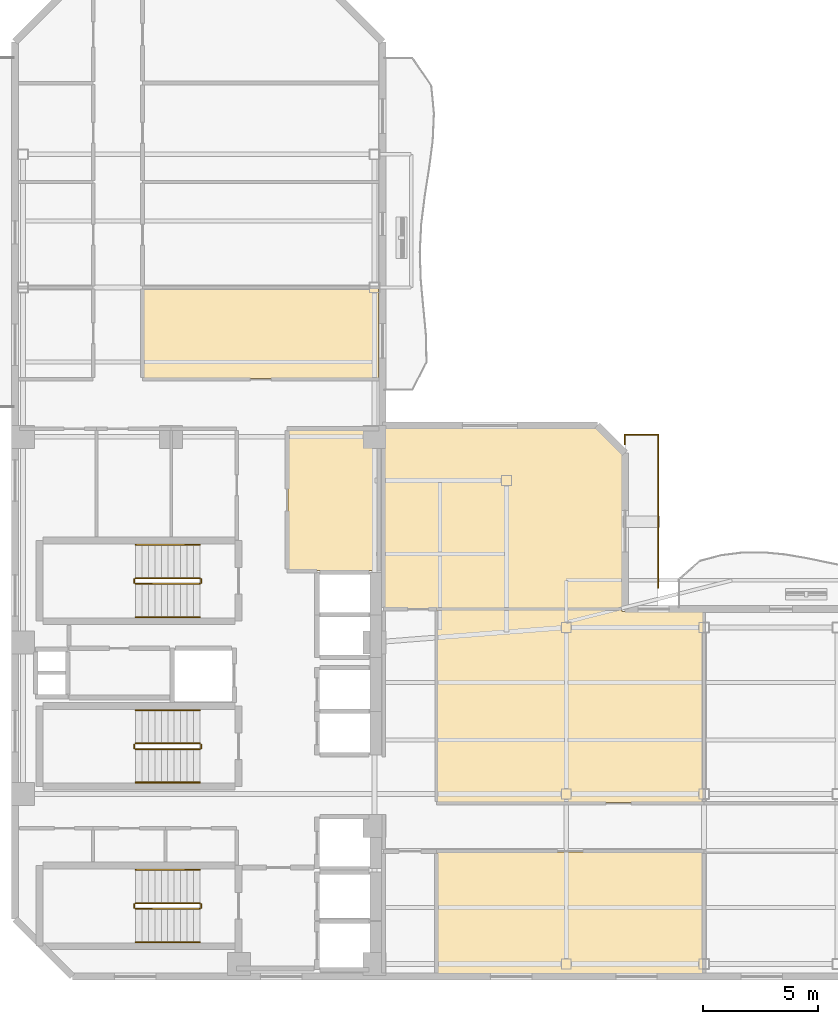
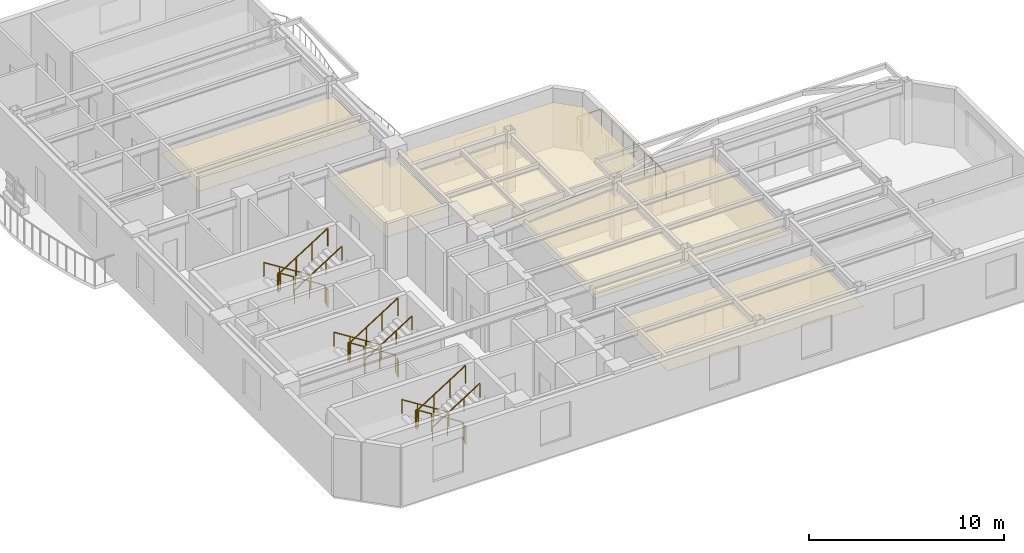
# One storey, part 7 of 8: 21 railings, 5 coverings.
"""IFC4 building model written with IfcOpenShell, lengths in metres."""

from ifc_helpers import new_model, si_unit, direction, frame, origin, origin_2d, place, context, subcontext, project, spatial, polyline, rectangle, outline, extrude, material, layer, layer_set, type_object, element, save


model = new_model("IFC4")

# Units and contexts
model_context = context("Model", 3, precision=1e-05, world=origin(), true_north=direction((0.0, 1.0)))
body_context = subcontext(model_context, "Body", "Model", "MODEL_VIEW")
ifc_project = project(units=[si_unit("LENGTHUNIT", "METRE"), si_unit("AREAUNIT", "SQUARE_METRE"), si_unit("VOLUMEUNIT", "CUBIC_METRE"), si_unit("PLANEANGLEUNIT", "RADIAN"), si_unit("MASSUNIT", "GRAM", prefix="KILO")], contexts=[model_context])

# Site, building, storey
site_placement = place(None, origin())
site = spatial("IfcSite", under=ifc_project, at=site_placement, CompositionType="ELEMENT")
building_placement = place(site_placement, origin())
building = spatial("IfcBuilding", under=site, at=building_placement, Name="Mawjaban Terraces University", CompositionType="ELEMENT")
storey_placement = place(building_placement, frame((0.0, 0.0, 187.5)))
storey = spatial("IfcBuildingStorey", under=building, at=storey_placement, Name="L45", CompositionType="ELEMENT", Elevation=187.5)

# Coverings
ifc_material_1 = material(Name="Acoustic mineral fibre ceiling tile", Category="masonry")
ifc_layer = layer(ifc_material_1, 0.02001953125)
ifc_layer_set = layer_set([ifc_layer], Name="Acoustic mineral fibre ceiling tile")
covering_type = type_object("IfcCoveringType", Name="AcousticMineralCeiling_20", PredefinedType="CEILING", material=ifc_layer_set)
covering_1_placement = place(storey_placement, frame((0.0, 0.0, 2.75)))
element("IfcCovering", 1, at=covering_1_placement, inside=storey, type_object=covering_type, Name="L45 Graduate Research Collaboration Studio Acoustic Ceiling", PredefinedType="CEILING", context=body_context, shape_type="SweptSolid", body=[
    extrude(outline(polyline([(37.820068359375, 17.679931640625), (37.820068359375, 23.820068359375), (33.8798828125, 23.820068359375), (33.8798828125, 17.679931640625), (37.820068359375, 17.679931640625)])), origin(), (0.0, 0.0, 1.0), 0.02001953125),
])
covering_2_placement = place(storey_placement, frame((0.0, 0.0, 2.75)))
element("IfcCovering", 2, at=covering_2_placement, inside=storey, type_object=covering_type, Name="L45 Computational Laboratory 2 Acoustic Ceiling", PredefinedType="CEILING", context=body_context, shape_type="SweptSolid", body=[
    extrude(outline(polyline([(40.3798828125, 0.114990234375), (51.969970703125, 0.114990234375), (51.969970703125, 5.419921875), (40.3798828125, 5.419921875), (40.3798828125, 0.114990234375)])), origin(), (0.0, 0.0, 1.0), 0.02001953125),
])
covering_3_placement = place(storey_placement, frame((0.0, 0.0, 2.75)))
element("IfcCovering", 3, at=covering_3_placement, inside=storey, type_object=covering_type, Name="L45 Teaching Laboratory 3 Acoustic Ceiling", PredefinedType="CEILING", context=body_context, shape_type="SweptSolid", body=[
    extrude(outline(polyline([(51.969970703125, 15.885009765625), (48.43505859375, 15.885009765625), (48.43505859375, 15.969970703125), (40.3798828125, 15.969970703125), (40.3798828125, 7.580078125), (51.969970703125, 7.580078125), (51.969970703125, 15.885009765625)])), origin(), (0.0, 0.0, 1.0), 0.02001953125),
])
covering_4_placement = place(storey_placement, frame((0.0, 0.0, 2.75)))
element("IfcCovering", 4, at=covering_4_placement, inside=storey, type_object=covering_type, Name="L45 Academic Workspace 7 Acoustic Ceiling", PredefinedType="CEILING", context=body_context, shape_type="SweptSolid", body=[
    extrude(outline(polyline([(37.820068359375, 26.030029296875), (37.820068359375, 29.969970703125), (27.580078125, 29.969970703125), (27.580078125, 26.030029296875), (37.820068359375, 26.030029296875)])), origin(), (0.0, 0.0, 1.0), 0.02001953125),
])
covering_5_placement = place(storey_placement, frame((0.0, 0.0, 2.75)))
element("IfcCovering", 5, at=covering_5_placement, inside=storey, type_object=covering_type, Name="L45 Terrace Collaborative Study Room Acoustic Ceiling", PredefinedType="CEILING", context=body_context, shape_type="SweptSolid", body=[
    extrude(outline(polyline([(48.43505859375, 16.030029296875), (48.43505859375, 22.740966796875), (47.302978515625, 23.873046875), (38.080078125, 23.873046875), (38.080078125, 16.030029296875), (48.43505859375, 16.030029296875)])), origin(), (0.0, 0.0, 1.0), 0.02001953125),
])

# Railings
ifc_material_2 = material(Name="Galvanised powder-coated steel S355", Category="steel")
railing_type_1 = type_object("IfcRailingType", Name="BalconyBalustrade_1600", PredefinedType="BALUSTRADE", material=ifc_material_2)
railing_1_placement = place(storey_placement, frame((50.0, 16.927978515625, 0.0)))
element("IfcRailing", 6, at=railing_1_placement, inside=storey, type_object=railing_type_1, Name="L45 Terrace Guardrail TER-L45-CLIMB.1", PredefinedType="BALUSTRADE", context=body_context, shape_type="SweptSolid", body=[
    extrude(rectangle(XDim=0.048095703125, YDim=0.048095703125, at=origin_2d()), frame((0.0, 0.0, 1.576171875), z_axis=(0.0, 1.0, 0.0), x_axis=(-1.0, 0.0, 0.0)), (0.0, 0.0, 1.0), 6.659912109375),
    extrude(rectangle(XDim=0.0419921875, YDim=0.0419921875, at=origin_2d()), origin(), (0.0, 0.0, 1.0), 1.552001953125),
    extrude(rectangle(XDim=0.0419921875, YDim=0.0419921875, at=origin_2d()), frame((0.0, 1.10986328125, 0.0)), (0.0, 0.0, 1.0), 1.552001953125),
    extrude(rectangle(XDim=0.0419921875, YDim=0.0419921875, at=origin_2d()), frame((0.0, 2.219970703125, 0.0)), (0.0, 0.0, 1.0), 1.552001953125),
    extrude(rectangle(XDim=0.0419921875, YDim=0.0419921875, at=origin_2d()), frame((0.0, 3.330078125, 0.0)), (0.0, 0.0, 1.0), 1.552001953125),
    extrude(rectangle(XDim=0.0419921875, YDim=0.0419921875, at=origin_2d()), frame((0.0, 4.43994140625, 0.0)), (0.0, 0.0, 1.0), 1.552001953125),
    extrude(rectangle(XDim=0.0419921875, YDim=0.0419921875, at=origin_2d()), frame((0.0, 5.5498046875, 0.0)), (0.0, 0.0, 1.0), 1.552001953125),
    extrude(rectangle(XDim=0.0419921875, YDim=0.0419921875, at=origin_2d()), frame((0.0, 6.659912109375, 0.0)), (0.0, 0.0, 1.0), 1.552001953125),
])
railing_2_placement = place(storey_placement, frame((50.0, 23.587890625, 0.0)))
element("IfcRailing", 7, at=railing_2_placement, inside=storey, type_object=railing_type_1, Name="L45 Terrace Guardrail TER-L45-CLIMB.2", PredefinedType="BALUSTRADE", context=body_context, shape_type="SweptSolid", body=[
    extrude(rectangle(XDim=0.048095703125, YDim=0.048095703125, at=origin_2d()), frame((0.0, 0.0, 1.576171875), z_axis=(-1.0, 0.0, 0.0), x_axis=(0.0, -1.0, 0.0)), (0.0, 0.0, 1.0), 1.449951171875),
    extrude(rectangle(XDim=0.0419921875, YDim=0.0419921875, at=origin_2d()), origin(), (0.0, 0.0, 1.0), 1.552001953125),
    extrude(rectangle(XDim=0.0419921875, YDim=0.0419921875, at=origin_2d()), frame((-0.72509765625, 0.0, 0.0)), (0.0, 0.0, 1.0), 1.552001953125),
    extrude(rectangle(XDim=0.0419921875, YDim=0.0419921875, at=origin_2d()), frame((-1.449951171875, 0.0, 0.0)), (0.0, 0.0, 1.0), 1.552001953125),
])
railing_3_placement = place(storey_placement, frame((48.550048828125, 23.587890625, 0.0)))
element("IfcRailing", 8, at=railing_3_placement, inside=storey, type_object=railing_type_1, Name="L45 Terrace Guardrail TER-L45-CLIMB.3", PredefinedType="BALUSTRADE", context=body_context, shape_type="SweptSolid", body=[
    extrude(rectangle(XDim=0.048095703125, YDim=0.048095703125, at=origin_2d()), frame((0.0, 0.0, 1.576171875), z_axis=(0.0, -1.0, 0.0), x_axis=(1.0, 0.0, 0.0)), (0.0, 0.0, 1.0), 0.40380859375),
    extrude(rectangle(XDim=0.0419921875, YDim=0.0419921875, at=origin_2d()), origin(), (0.0, 0.0, 1.0), 1.552001953125),
    extrude(rectangle(XDim=0.0419921875, YDim=0.0419921875, at=origin_2d()), frame((0.0, -0.40380859375, 0.0)), (0.0, 0.0, 1.0), 1.552001953125),
])
ifc_material_3 = material(Name="Brushed stainless steel 316", Category="steel")
railing_type_2 = type_object("IfcRailingType", Name="StairWallHandrail_900", PredefinedType="HANDRAIL", material=ifc_material_3)
railing_4_placement = place(storey_placement, frame((30.050048828125, 4.64990234375, 0.17724609375)))
element("IfcRailing", 9, at=railing_4_placement, inside=storey, type_object=railing_type_2, Name="L45 ST-1 stair handrail 1", PredefinedType="HANDRAIL", context=body_context, shape_type="SweptSolid", body=[
    extrude(rectangle(XDim=0.048095703125, YDim=0.048095703125, at=origin_2d()), frame((0.0, 0.0, 0.8759765625), z_axis=(-0.844908973607, 0.0, 0.534910110503), x_axis=(0.0, -1.0, 0.0)), (0.0, 0.0, 1.0), 3.31396484375),
    extrude(rectangle(XDim=0.0419921875, YDim=0.0419921875, at=origin_2d()), origin(), (0.0, 0.0, 1.0), 0.851806640625),
    extrude(rectangle(XDim=0.0419921875, YDim=0.0419921875, at=origin_2d()), frame((-0.933349609375, 0.0, 0.5908203125)), (0.0, 0.0, 1.0), 0.851806640625),
    extrude(rectangle(XDim=0.0419921875, YDim=0.0419921875, at=origin_2d()), frame((-1.86669921875, 0.0, 1.181884765625)), (0.0, 0.0, 1.0), 0.851806640625),
    extrude(rectangle(XDim=0.0419921875, YDim=0.0419921875, at=origin_2d()), frame((-2.800048828125, 0.0, 1.772705078125)), (0.0, 0.0, 1.0), 0.851806640625),
])
railing_5_placement = place(storey_placement, frame((27.25, 1.5, 2.127197265625)))
element("IfcRailing", 10, at=railing_5_placement, inside=storey, type_object=railing_type_2, Name="L45 ST-1 stair handrail 2", PredefinedType="HANDRAIL", context=body_context, shape_type="SweptSolid", body=[
    extrude(rectangle(XDim=0.048095703125, YDim=0.048095703125, at=origin_2d()), frame((0.0, 0.0, 0.8759765625), z_axis=(0.844908973607, 0.0, 0.534910110503), x_axis=(0.0, 1.0, 0.0)), (0.0, 0.0, 1.0), 3.31396484375),
    extrude(rectangle(XDim=0.0419921875, YDim=0.0419921875, at=origin_2d()), origin(), (0.0, 0.0, 1.0), 0.851806640625),
    extrude(rectangle(XDim=0.0419921875, YDim=0.0419921875, at=origin_2d()), frame((0.933349609375, 0.0, 0.5908203125)), (0.0, 0.0, 1.0), 0.851806640625),
    extrude(rectangle(XDim=0.0419921875, YDim=0.0419921875, at=origin_2d()), frame((1.86669921875, 0.0, 1.181884765625)), (0.0, 0.0, 1.0), 0.851806640625),
    extrude(rectangle(XDim=0.0419921875, YDim=0.0419921875, at=origin_2d()), frame((2.800048828125, 0.0, 1.772705078125)), (0.0, 0.0, 1.0), 0.851806640625),
])
railing_6_placement = place(storey_placement, frame((30.050048828125, 18.800048828125, 0.17724609375)))
element("IfcRailing", 11, at=railing_6_placement, inside=storey, type_object=railing_type_2, Name="L45 ST-2 stair handrail 1", PredefinedType="HANDRAIL", context=body_context, shape_type="SweptSolid", body=[
    extrude(rectangle(XDim=0.048095703125, YDim=0.048095703125, at=origin_2d()), frame((0.0, 0.0, 0.8759765625), z_axis=(-0.844908973607, 0.0, 0.534910110503), x_axis=(0.0, -1.0, 0.0)), (0.0, 0.0, 1.0), 3.31396484375),
    extrude(rectangle(XDim=0.0419921875, YDim=0.0419921875, at=origin_2d()), origin(), (0.0, 0.0, 1.0), 0.851806640625),
    extrude(rectangle(XDim=0.0419921875, YDim=0.0419921875, at=origin_2d()), frame((-0.933349609375, 0.0, 0.5908203125)), (0.0, 0.0, 1.0), 0.851806640625),
    extrude(rectangle(XDim=0.0419921875, YDim=0.0419921875, at=origin_2d()), frame((-1.86669921875, 0.0, 1.181884765625)), (0.0, 0.0, 1.0), 0.851806640625),
    extrude(rectangle(XDim=0.0419921875, YDim=0.0419921875, at=origin_2d()), frame((-2.800048828125, 0.0, 1.772705078125)), (0.0, 0.0, 1.0), 0.851806640625),
])
railing_7_placement = place(storey_placement, frame((27.25, 15.64990234375, 2.127197265625)))
element("IfcRailing", 12, at=railing_7_placement, inside=storey, type_object=railing_type_2, Name="L45 ST-2 stair handrail 2", PredefinedType="HANDRAIL", context=body_context, shape_type="SweptSolid", body=[
    extrude(rectangle(XDim=0.048095703125, YDim=0.048095703125, at=origin_2d()), frame((0.0, 0.0, 0.8759765625), z_axis=(0.844908973607, 0.0, 0.534910110503), x_axis=(0.0, 1.0, 0.0)), (0.0, 0.0, 1.0), 3.31396484375),
    extrude(rectangle(XDim=0.0419921875, YDim=0.0419921875, at=origin_2d()), origin(), (0.0, 0.0, 1.0), 0.851806640625),
    extrude(rectangle(XDim=0.0419921875, YDim=0.0419921875, at=origin_2d()), frame((0.933349609375, 0.0, 0.5908203125)), (0.0, 0.0, 1.0), 0.851806640625),
    extrude(rectangle(XDim=0.0419921875, YDim=0.0419921875, at=origin_2d()), frame((1.86669921875, 0.0, 1.181884765625)), (0.0, 0.0, 1.0), 0.851806640625),
    extrude(rectangle(XDim=0.0419921875, YDim=0.0419921875, at=origin_2d()), frame((2.800048828125, 0.0, 1.772705078125)), (0.0, 0.0, 1.0), 0.851806640625),
])
railing_8_placement = place(storey_placement, frame((30.050048828125, 11.60009765625, 0.17724609375)))
element("IfcRailing", 13, at=railing_8_placement, inside=storey, type_object=railing_type_2, Name="L45 ST-3 stair handrail 1", PredefinedType="HANDRAIL", context=body_context, shape_type="SweptSolid", body=[
    extrude(rectangle(XDim=0.048095703125, YDim=0.048095703125, at=origin_2d()), frame((0.0, 0.0, 0.8759765625), z_axis=(-0.844908973607, 0.0, 0.534910110503), x_axis=(0.0, -1.0, 0.0)), (0.0, 0.0, 1.0), 3.31396484375),
    extrude(rectangle(XDim=0.0419921875, YDim=0.0419921875, at=origin_2d()), origin(), (0.0, 0.0, 1.0), 0.851806640625),
    extrude(rectangle(XDim=0.0419921875, YDim=0.0419921875, at=origin_2d()), frame((-0.933349609375, 0.0, 0.5908203125)), (0.0, 0.0, 1.0), 0.851806640625),
    extrude(rectangle(XDim=0.0419921875, YDim=0.0419921875, at=origin_2d()), frame((-1.86669921875, 0.0, 1.181884765625)), (0.0, 0.0, 1.0), 0.851806640625),
    extrude(rectangle(XDim=0.0419921875, YDim=0.0419921875, at=origin_2d()), frame((-2.800048828125, 0.0, 1.772705078125)), (0.0, 0.0, 1.0), 0.851806640625),
])
railing_9_placement = place(storey_placement, frame((27.25, 8.449951171875, 2.127197265625)))
element("IfcRailing", 14, at=railing_9_placement, inside=storey, type_object=railing_type_2, Name="L45 ST-3 stair handrail 2", PredefinedType="HANDRAIL", context=body_context, shape_type="SweptSolid", body=[
    extrude(rectangle(XDim=0.048095703125, YDim=0.048095703125, at=origin_2d()), frame((0.0, 0.0, 0.8759765625), z_axis=(0.844908973607, 0.0, 0.534910110503), x_axis=(0.0, 1.0, 0.0)), (0.0, 0.0, 1.0), 3.31396484375),
    extrude(rectangle(XDim=0.0419921875, YDim=0.0419921875, at=origin_2d()), origin(), (0.0, 0.0, 1.0), 0.851806640625),
    extrude(rectangle(XDim=0.0419921875, YDim=0.0419921875, at=origin_2d()), frame((0.933349609375, 0.0, 0.5908203125)), (0.0, 0.0, 1.0), 0.851806640625),
    extrude(rectangle(XDim=0.0419921875, YDim=0.0419921875, at=origin_2d()), frame((1.86669921875, 0.0, 1.181884765625)), (0.0, 0.0, 1.0), 0.851806640625),
    extrude(rectangle(XDim=0.0419921875, YDim=0.0419921875, at=origin_2d()), frame((2.800048828125, 0.0, 1.772705078125)), (0.0, 0.0, 1.0), 0.851806640625),
])
ifc_material_4 = material(Name="Galvanised painted steel S355", Category="steel")
railing_type_3 = type_object("IfcRailingType", Name="StairWellGuard_1150", PredefinedType="BALUSTRADE", material=ifc_material_4)
railing_10_placement = place(storey_placement, frame((30.050048828125, 3.199951171875, 0.17724609375)))
element("IfcRailing", 15, at=railing_10_placement, inside=storey, type_object=railing_type_3, Name="L45 ST-1 stair guard 1", PredefinedType="BALUSTRADE", context=body_context, shape_type="SweptSolid", body=[
    extrude(rectangle(XDim=0.048095703125, YDim=0.048095703125, at=origin_2d()), frame((0.0, 0.0, 1.1259765625), z_axis=(-0.844908973607, 0.0, 0.534910110503), x_axis=(0.0, -1.0, 0.0)), (0.0, 0.0, 1.0), 3.31396484375),
    extrude(rectangle(XDim=0.0419921875, YDim=0.0419921875, at=origin_2d()), origin(), (0.0, 0.0, 1.0), 1.101806640625),
    extrude(rectangle(XDim=0.0419921875, YDim=0.0419921875, at=origin_2d()), frame((-0.933349609375, 0.0, 0.5908203125)), (0.0, 0.0, 1.0), 1.101806640625),
    extrude(rectangle(XDim=0.0419921875, YDim=0.0419921875, at=origin_2d()), frame((-1.86669921875, 0.0, 1.181884765625)), (0.0, 0.0, 1.0), 1.101806640625),
    extrude(rectangle(XDim=0.0419921875, YDim=0.0419921875, at=origin_2d()), frame((-2.800048828125, 0.0, 1.772705078125)), (0.0, 0.0, 1.0), 1.101806640625),
])
railing_11_placement = place(storey_placement, frame((27.199951171875, 3.14990234375, 1.949951171875)))
element("IfcRailing", 16, at=railing_11_placement, inside=storey, type_object=railing_type_3, Name="L45 ST-1 stair guard 2", PredefinedType="BALUSTRADE", context=body_context, shape_type="SweptSolid", body=[
    extrude(rectangle(XDim=0.048095703125, YDim=0.048095703125, at=origin_2d()), frame((0.0, 0.0, 1.1259765625), z_axis=(0.0, -1.0, 0.0), x_axis=(1.0, 0.0, 0.0)), (0.0, 0.0, 1.0), 0.14990234375),
    extrude(rectangle(XDim=0.0419921875, YDim=0.0419921875, at=origin_2d()), origin(), (0.0, 0.0, 1.0), 1.101806640625),
    extrude(rectangle(XDim=0.0419921875, YDim=0.0419921875, at=origin_2d()), frame((0.0, -0.14990234375, 0.0)), (0.0, 0.0, 1.0), 1.101806640625),
])
railing_12_placement = place(storey_placement, frame((27.25, 2.949951171875, 2.127197265625)))
element("IfcRailing", 17, at=railing_12_placement, inside=storey, type_object=railing_type_3, Name="L45 ST-1 stair guard 3", PredefinedType="BALUSTRADE", context=body_context, shape_type="SweptSolid", body=[
    extrude(rectangle(XDim=0.048095703125, YDim=0.048095703125, at=origin_2d()), frame((0.0, 0.0, 1.1259765625), z_axis=(0.844908973607, 0.0, 0.534910110503), x_axis=(0.0, 1.0, 0.0)), (0.0, 0.0, 1.0), 3.31396484375),
    extrude(rectangle(XDim=0.0419921875, YDim=0.0419921875, at=origin_2d()), origin(), (0.0, 0.0, 1.0), 1.101806640625),
    extrude(rectangle(XDim=0.0419921875, YDim=0.0419921875, at=origin_2d()), frame((0.933349609375, 0.0, 0.5908203125)), (0.0, 0.0, 1.0), 1.101806640625),
    extrude(rectangle(XDim=0.0419921875, YDim=0.0419921875, at=origin_2d()), frame((1.86669921875, 0.0, 1.181884765625)), (0.0, 0.0, 1.0), 1.101806640625),
    extrude(rectangle(XDim=0.0419921875, YDim=0.0419921875, at=origin_2d()), frame((2.800048828125, 0.0, 1.772705078125)), (0.0, 0.0, 1.0), 1.101806640625),
])
railing_13_placement = place(storey_placement, frame((30.10009765625, 3.14990234375, 0.0)))
element("IfcRailing", 18, at=railing_13_placement, inside=storey, type_object=railing_type_3, Name="L45 ST-1 stair guard 4", PredefinedType="BALUSTRADE", context=body_context, shape_type="SweptSolid", body=[
    extrude(rectangle(XDim=0.048095703125, YDim=0.048095703125, at=origin_2d()), frame((0.0, 0.0, 1.1259765625), z_axis=(0.0, -1.0, 0.0), x_axis=(1.0, 0.0, 0.0)), (0.0, 0.0, 1.0), 0.14990234375),
    extrude(rectangle(XDim=0.0419921875, YDim=0.0419921875, at=origin_2d()), origin(), (0.0, 0.0, 1.0), 1.101806640625),
    extrude(rectangle(XDim=0.0419921875, YDim=0.0419921875, at=origin_2d()), frame((0.0, -0.14990234375, 0.0)), (0.0, 0.0, 1.0), 1.101806640625),
])
railing_14_placement = place(storey_placement, frame((30.050048828125, 17.35009765625, 0.17724609375)))
element("IfcRailing", 19, at=railing_14_placement, inside=storey, type_object=railing_type_3, Name="L45 ST-2 stair guard 1", PredefinedType="BALUSTRADE", context=body_context, shape_type="SweptSolid", body=[
    extrude(rectangle(XDim=0.048095703125, YDim=0.048095703125, at=origin_2d()), frame((0.0, 0.0, 1.1259765625), z_axis=(-0.844908973607, 0.0, 0.534910110503), x_axis=(0.0, -1.0, 0.0)), (0.0, 0.0, 1.0), 3.31396484375),
    extrude(rectangle(XDim=0.0419921875, YDim=0.0419921875, at=origin_2d()), origin(), (0.0, 0.0, 1.0), 1.101806640625),
    extrude(rectangle(XDim=0.0419921875, YDim=0.0419921875, at=origin_2d()), frame((-0.933349609375, 0.0, 0.5908203125)), (0.0, 0.0, 1.0), 1.101806640625),
    extrude(rectangle(XDim=0.0419921875, YDim=0.0419921875, at=origin_2d()), frame((-1.86669921875, 0.0, 1.181884765625)), (0.0, 0.0, 1.0), 1.101806640625),
    extrude(rectangle(XDim=0.0419921875, YDim=0.0419921875, at=origin_2d()), frame((-2.800048828125, 0.0, 1.772705078125)), (0.0, 0.0, 1.0), 1.101806640625),
])
railing_15_placement = place(storey_placement, frame((27.199951171875, 17.300048828125, 1.949951171875)))
element("IfcRailing", 20, at=railing_15_placement, inside=storey, type_object=railing_type_3, Name="L45 ST-2 stair guard 2", PredefinedType="BALUSTRADE", context=body_context, shape_type="SweptSolid", body=[
    extrude(rectangle(XDim=0.048095703125, YDim=0.048095703125, at=origin_2d()), frame((0.0, 0.0, 1.1259765625), z_axis=(0.0, -1.0, 0.0), x_axis=(1.0, 0.0, 0.0)), (0.0, 0.0, 1.0), 0.150146484375),
    extrude(rectangle(XDim=0.0419921875, YDim=0.0419921875, at=origin_2d()), origin(), (0.0, 0.0, 1.0), 1.101806640625),
    extrude(rectangle(XDim=0.0419921875, YDim=0.0419921875, at=origin_2d()), frame((0.0, -0.150146484375, 0.0)), (0.0, 0.0, 1.0), 1.101806640625),
])
railing_16_placement = place(storey_placement, frame((27.25, 17.10009765625, 2.127197265625)))
element("IfcRailing", 21, at=railing_16_placement, inside=storey, type_object=railing_type_3, Name="L45 ST-2 stair guard 3", PredefinedType="BALUSTRADE", context=body_context, shape_type="SweptSolid", body=[
    extrude(rectangle(XDim=0.048095703125, YDim=0.048095703125, at=origin_2d()), frame((0.0, 0.0, 1.1259765625), z_axis=(0.844908973607, 0.0, 0.534910110503), x_axis=(0.0, 1.0, 0.0)), (0.0, 0.0, 1.0), 3.31396484375),
    extrude(rectangle(XDim=0.0419921875, YDim=0.0419921875, at=origin_2d()), origin(), (0.0, 0.0, 1.0), 1.101806640625),
    extrude(rectangle(XDim=0.0419921875, YDim=0.0419921875, at=origin_2d()), frame((0.933349609375, 0.0, 0.5908203125)), (0.0, 0.0, 1.0), 1.101806640625),
    extrude(rectangle(XDim=0.0419921875, YDim=0.0419921875, at=origin_2d()), frame((1.86669921875, 0.0, 1.181884765625)), (0.0, 0.0, 1.0), 1.101806640625),
    extrude(rectangle(XDim=0.0419921875, YDim=0.0419921875, at=origin_2d()), frame((2.800048828125, 0.0, 1.772705078125)), (0.0, 0.0, 1.0), 1.101806640625),
])
railing_17_placement = place(storey_placement, frame((30.10009765625, 17.300048828125, 0.0)))
element("IfcRailing", 22, at=railing_17_placement, inside=storey, type_object=railing_type_3, Name="L45 ST-2 stair guard 4", PredefinedType="BALUSTRADE", context=body_context, shape_type="SweptSolid", body=[
    extrude(rectangle(XDim=0.048095703125, YDim=0.048095703125, at=origin_2d()), frame((0.0, 0.0, 1.1259765625), z_axis=(0.0, -1.0, 0.0), x_axis=(1.0, 0.0, 0.0)), (0.0, 0.0, 1.0), 0.150146484375),
    extrude(rectangle(XDim=0.0419921875, YDim=0.0419921875, at=origin_2d()), origin(), (0.0, 0.0, 1.0), 1.101806640625),
    extrude(rectangle(XDim=0.0419921875, YDim=0.0419921875, at=origin_2d()), frame((0.0, -0.150146484375, 0.0)), (0.0, 0.0, 1.0), 1.101806640625),
])
railing_18_placement = place(storey_placement, frame((30.050048828125, 10.14990234375, 0.17724609375)))
element("IfcRailing", 23, at=railing_18_placement, inside=storey, type_object=railing_type_3, Name="L45 ST-3 stair guard 1", PredefinedType="BALUSTRADE", context=body_context, shape_type="SweptSolid", body=[
    extrude(rectangle(XDim=0.048095703125, YDim=0.048095703125, at=origin_2d()), frame((0.0, 0.0, 1.1259765625), z_axis=(-0.844908973607, 0.0, 0.534910110503), x_axis=(0.0, -1.0, 0.0)), (0.0, 0.0, 1.0), 3.31396484375),
    extrude(rectangle(XDim=0.0419921875, YDim=0.0419921875, at=origin_2d()), origin(), (0.0, 0.0, 1.0), 1.101806640625),
    extrude(rectangle(XDim=0.0419921875, YDim=0.0419921875, at=origin_2d()), frame((-0.933349609375, 0.0, 0.5908203125)), (0.0, 0.0, 1.0), 1.101806640625),
    extrude(rectangle(XDim=0.0419921875, YDim=0.0419921875, at=origin_2d()), frame((-1.86669921875, 0.0, 1.181884765625)), (0.0, 0.0, 1.0), 1.101806640625),
    extrude(rectangle(XDim=0.0419921875, YDim=0.0419921875, at=origin_2d()), frame((-2.800048828125, 0.0, 1.772705078125)), (0.0, 0.0, 1.0), 1.101806640625),
])
railing_19_placement = place(storey_placement, frame((27.199951171875, 10.10009765625, 1.949951171875)))
element("IfcRailing", 24, at=railing_19_placement, inside=storey, type_object=railing_type_3, Name="L45 ST-3 stair guard 2", PredefinedType="BALUSTRADE", context=body_context, shape_type="SweptSolid", body=[
    extrude(rectangle(XDim=0.048095703125, YDim=0.048095703125, at=origin_2d()), frame((0.0, 0.0, 1.1259765625), z_axis=(0.0, -1.0, 0.0), x_axis=(1.0, 0.0, 0.0)), (0.0, 0.0, 1.0), 0.150146484375),
    extrude(rectangle(XDim=0.0419921875, YDim=0.0419921875, at=origin_2d()), origin(), (0.0, 0.0, 1.0), 1.101806640625),
    extrude(rectangle(XDim=0.0419921875, YDim=0.0419921875, at=origin_2d()), frame((0.0, -0.150146484375, 0.0)), (0.0, 0.0, 1.0), 1.101806640625),
])
railing_20_placement = place(storey_placement, frame((27.25, 9.89990234375, 2.127197265625)))
element("IfcRailing", 25, at=railing_20_placement, inside=storey, type_object=railing_type_3, Name="L45 ST-3 stair guard 3", PredefinedType="BALUSTRADE", context=body_context, shape_type="SweptSolid", body=[
    extrude(rectangle(XDim=0.048095703125, YDim=0.048095703125, at=origin_2d()), frame((0.0, 0.0, 1.1259765625), z_axis=(0.844908973607, 0.0, 0.534910110503), x_axis=(0.0, 1.0, 0.0)), (0.0, 0.0, 1.0), 3.31396484375),
    extrude(rectangle(XDim=0.0419921875, YDim=0.0419921875, at=origin_2d()), origin(), (0.0, 0.0, 1.0), 1.101806640625),
    extrude(rectangle(XDim=0.0419921875, YDim=0.0419921875, at=origin_2d()), frame((0.933349609375, 0.0, 0.5908203125)), (0.0, 0.0, 1.0), 1.101806640625),
    extrude(rectangle(XDim=0.0419921875, YDim=0.0419921875, at=origin_2d()), frame((1.86669921875, 0.0, 1.181884765625)), (0.0, 0.0, 1.0), 1.101806640625),
    extrude(rectangle(XDim=0.0419921875, YDim=0.0419921875, at=origin_2d()), frame((2.800048828125, 0.0, 1.772705078125)), (0.0, 0.0, 1.0), 1.101806640625),
])
railing_21_placement = place(storey_placement, frame((30.10009765625, 10.10009765625, 0.0)))
element("IfcRailing", 26, at=railing_21_placement, inside=storey, type_object=railing_type_3, Name="L45 ST-3 stair guard 4", PredefinedType="BALUSTRADE", context=body_context, shape_type="SweptSolid", body=[
    extrude(rectangle(XDim=0.048095703125, YDim=0.048095703125, at=origin_2d()), frame((0.0, 0.0, 1.1259765625), z_axis=(0.0, -1.0, 0.0), x_axis=(1.0, 0.0, 0.0)), (0.0, 0.0, 1.0), 0.150146484375),
    extrude(rectangle(XDim=0.0419921875, YDim=0.0419921875, at=origin_2d()), origin(), (0.0, 0.0, 1.0), 1.101806640625),
    extrude(rectangle(XDim=0.0419921875, YDim=0.0419921875, at=origin_2d()), frame((0.0, -0.150146484375, 0.0)), (0.0, 0.0, 1.0), 1.101806640625),
])

save(model, "model.ifc")
